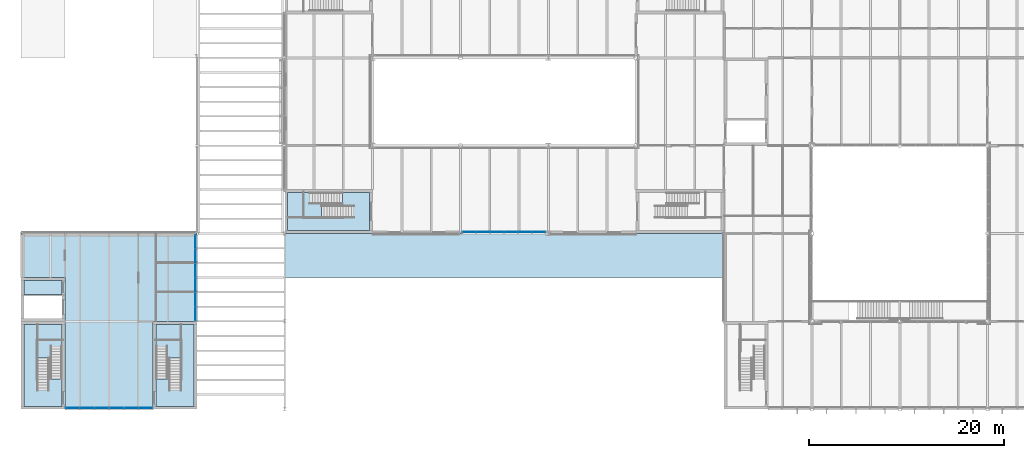
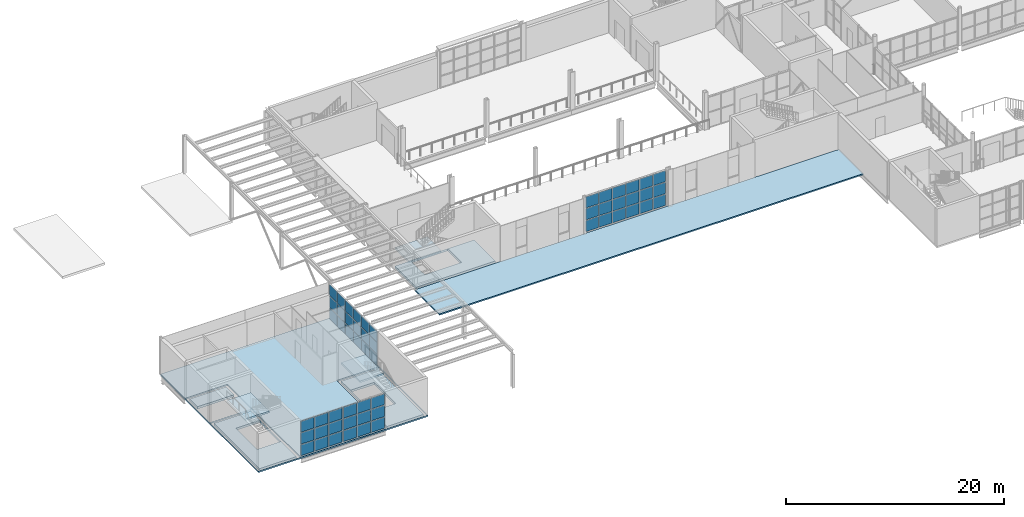
# One storey, part 26 of 57: 54 plates, 9 slabs, 7 elements without a shape of their own.
"""IFC4 building model written with IfcOpenShell, lengths in metres."""

from ifc_helpers import new_model, si_unit, direction, frame, origin, origin_2d, place, context, subcontext, project, spatial, polyline, rectangle, outline, extrude, material, layer, layer_set, type_object, element, aggregate, save


model = new_model("IFC4")

# Units and contexts
model_context = context("Model", 3, precision=1e-05, world=origin(), true_north=direction((0.0, 1.0)))
body_context = subcontext(model_context, "Body", "Model", "MODEL_VIEW")
ifc_project = project(units=[si_unit("LENGTHUNIT", "METRE"), si_unit("AREAUNIT", "SQUARE_METRE"), si_unit("VOLUMEUNIT", "CUBIC_METRE"), si_unit("PLANEANGLEUNIT", "RADIAN"), si_unit("MASSUNIT", "GRAM", prefix="KILO")], contexts=[model_context])

# Site, building, storey
site_placement = place(None, origin())
site = spatial("IfcSite", under=ifc_project, at=site_placement, CompositionType="ELEMENT")
building_placement = place(site_placement, origin())
building = spatial("IfcBuilding", under=site, at=building_placement, Name="Halyard Row Museum", CompositionType="ELEMENT")
storey_placement = place(building_placement, frame((0.0, 0.0, 5.0)))
storey = spatial("IfcBuildingStorey", under=building, at=storey_placement, Name="L01", CompositionType="ELEMENT", Elevation=5.0)

# Slabs
ifc_material_1 = material(Name="Concrete 40 MPa", Category="concrete")
ifc_layer_1 = layer(ifc_material_1, 0.1650390625)
ifc_layer_set_1 = layer_set([ifc_layer_1], Name="Concrete 40 MPa")
slab_type_1 = type_object("IfcSlabType", Name="Composite floor slab", PredefinedType="FLOOR", material=ifc_layer_set_1)
slab_1_placement = place(storey_placement, frame((0.0, 0.0, -0.1650390625)))
element("IfcSlab", 1, at=slab_1_placement, inside=storey, type_object=slab_type_1, Name="Floor slab L01-01", PredefinedType="FLOOR", context=body_context, shape_type="SweptSolid", body=[
    extrude(outline(polyline([(0.0, 0.0), (18.0, 0.0), (18.0, 18.0), (0.0, 18.0), (0.0, 0.0)]), holes=[polyline([(4.4951171875, 0.0048828125), (0.0048828125, 0.0048828125), (0.0048828125, 8.9951171875), (4.4951171875, 8.9951171875), (4.4951171875, 0.0048828125)]), polyline([(13.5048828125, 0.0048828125), (13.5048828125, 8.9951171875), (17.9951171875, 8.9951171875), (17.9951171875, 0.0048828125), (13.5048828125, 0.0048828125)]), polyline([(0.0048828125, 9.0048828125), (0.0048828125, 13.4951171875), (4.4951171875, 13.4951171875), (4.4951171875, 9.0048828125), (0.0048828125, 9.0048828125)])]), origin(), (0.0, 0.0, 1.0), 0.1650390625),
])
ifc_material_2 = material(Name="Concrete 40 MPa", Category="concrete")
ifc_layer_2 = layer(ifc_material_2, 0.25)
ifc_layer_set_2 = layer_set([ifc_layer_2], Name="Concrete 40 MPa")
slab_type_2 = type_object("IfcSlabType", Name="Core floor slab 250", PredefinedType="FLOOR", material=ifc_layer_set_2)
slab_2_placement = place(storey_placement, frame((0.0, 0.0, -0.25)))
element("IfcSlab", 2, at=slab_2_placement, inside=storey, type_object=slab_type_2, Name="Core floor K1D L01", PredefinedType="FLOOR", context=body_context, shape_type="SweptSolid", body=[
    extrude(outline(polyline([(35.699951171875, 22.199951171875), (27.300048828125, 22.199951171875), (27.300048828125, 18.300048828125), (35.699951171875, 18.300048828125), (35.699951171875, 22.199951171875)]), holes=[polyline([(28.98291015625, 22.197021484375), (32.89697265625, 22.197021484375), (32.89697265625, 19.653076171875), (28.98291015625, 19.653076171875), (28.98291015625, 22.197021484375)])]), origin(), (0.0, 0.0, 1.0), 0.25),
])
slab_3_placement = place(storey_placement, frame((0.0, 0.0, -0.25)))
element("IfcSlab", 3, at=slab_3_placement, inside=storey, type_object=slab_type_2, Name="Core floor K3E L01", PredefinedType="FLOOR", context=body_context, shape_type="SweptSolid", body=[
    extrude(outline(polyline([(17.699951171875, 8.699951171875), (13.800048828125, 8.699951171875), (13.800048828125, 0.300048828125), (17.699951171875, 0.300048828125), (17.699951171875, 8.699951171875)]), holes=[polyline([(13.802978515625, 7.01708984375), (16.346923828125, 7.01708984375), (16.346923828125, 3.10302734375), (13.802978515625, 3.10302734375), (13.802978515625, 7.01708984375)])]), origin(), (0.0, 0.0, 1.0), 0.25),
])
slab_4_placement = place(storey_placement, frame((0.0, 0.0, -0.25)))
element("IfcSlab", 4, at=slab_4_placement, inside=storey, type_object=slab_type_2, Name="Core floor K3S L01", PredefinedType="FLOOR", context=body_context, shape_type="SweptSolid", body=[
    extrude(outline(polyline([(4.199951171875, 8.699951171875), (0.300048828125, 8.699951171875), (0.300048828125, 0.300048828125), (4.199951171875, 0.300048828125), (4.199951171875, 8.699951171875)]), holes=[polyline([(4.197021484375, 7.01708984375), (4.197021484375, 3.10302734375), (1.653076171875, 3.10302734375), (1.653076171875, 7.01708984375), (4.197021484375, 7.01708984375)])]), origin(), (0.0, 0.0, 1.0), 0.25),
])
slab_5_placement = place(storey_placement, frame((0.0, 0.0, -0.25)))
element("IfcSlab", 5, at=slab_5_placement, inside=storey, type_object=slab_type_2, Name="Core floor K6 L01", PredefinedType="FLOOR", context=body_context, shape_type="SweptSolid", body=[
    extrude(outline(polyline([(4.199951171875, 13.199951171875), (0.300048828125, 13.199951171875), (0.300048828125, 11.75), (4.199951171875, 11.75), (4.199951171875, 13.199951171875)])), origin(), (0.0, 0.0, 1.0), 0.25),
])

# Curtain wall, plates
ifc_material_3 = material(Name="Double glazed unit, low-emissivity", Category="glass")
ifc_layer_3 = layer(ifc_material_3, 0.179931640625)
ifc_layer_set_3 = layer_set([ifc_layer_3], Name="Double glazed unit, low-emissivity")
curtain_wall_type_1 = type_object("IfcCurtainWallType", Name="Curtain wall stick 180 deep", PredefinedType="NOTDEFINED", material=ifc_layer_set_3)
curtain_wall_1_placement = place(storey_placement, origin())
curtain_wall_1 = element("IfcCurtainWall", 6, at=curtain_wall_1_placement, inside=storey, type_object=curtain_wall_type_1, Name="Curtain wall CW023", PredefinedType="NOTDEFINED")
ifc_material_4 = material(Name="Double glazed unit, low-emissivity", Category="glass")
ifc_layer_4 = layer(ifc_material_4, 0.028076171875)
ifc_layer_set_4 = layer_set([ifc_layer_4], Name="Double glazed unit, low-emissivity")
plate_type_1 = type_object("IfcPlateType", Name="Curtain wall glazed panel CP2 28", PredefinedType="CURTAIN_PANEL", material=ifc_layer_set_4)
plate_1_placement = place(storey_placement, frame((45.881591796875, 18.139892578125, 0.06005859375), z_axis=(0.0, 0.0, 1.0), x_axis=(1.0, 0.0, 0.0)))
plate_1 = element("IfcPlate", 7, at=plate_1_placement, type_object=plate_type_1, Name="CW023 panel 1.1", PredefinedType="CURTAIN_PANEL", context=body_context, shape_type="SweptSolid", body=[
    extrude(rectangle(XDim=1.34326171875, YDim=0.028076171875, at=origin_2d()), origin(), (0.0, 0.0, 1.0), 1.2548828125),
])
plate_2_placement = place(storey_placement, frame((45.881591796875, 18.139892578125, 1.375), z_axis=(0.0, 0.0, 1.0), x_axis=(1.0, 0.0, 0.0)))
plate_2 = element("IfcPlate", 8, at=plate_2_placement, type_object=plate_type_1, Name="CW023 panel 1.2", PredefinedType="CURTAIN_PANEL", context=body_context, shape_type="SweptSolid", body=[
    extrude(rectangle(XDim=1.34326171875, YDim=0.028076171875, at=origin_2d()), origin(), (0.0, 0.0, 1.0), 1.284912109375),
])
plate_3_placement = place(storey_placement, frame((45.881591796875, 18.139892578125, 2.719970703125), z_axis=(0.0, 0.0, 1.0), x_axis=(1.0, 0.0, 0.0)))
plate_3 = element("IfcPlate", 9, at=plate_3_placement, type_object=plate_type_1, Name="CW023 panel 1.3", PredefinedType="CURTAIN_PANEL", context=body_context, shape_type="SweptSolid", body=[
    extrude(rectangle(XDim=1.34326171875, YDim=0.028076171875, at=origin_2d()), origin(), (0.0, 0.0, 1.0), 1.2548828125),
])
plate_4_placement = place(storey_placement, frame((47.300048828125, 18.139892578125, 0.06005859375), z_axis=(0.0, 0.0, 1.0), x_axis=(1.0, 0.0, 0.0)))
plate_4 = element("IfcPlate", 10, at=plate_4_placement, type_object=plate_type_1, Name="CW023 panel 2.1", PredefinedType="CURTAIN_PANEL", context=body_context, shape_type="SweptSolid", body=[
    extrude(rectangle(XDim=1.373291015625, YDim=0.028076171875, at=origin_2d()), origin(), (0.0, 0.0, 1.0), 1.2548828125),
])
plate_5_placement = place(storey_placement, frame((47.300048828125, 18.139892578125, 1.375), z_axis=(0.0, 0.0, 1.0), x_axis=(1.0, 0.0, 0.0)))
plate_5 = element("IfcPlate", 11, at=plate_5_placement, type_object=plate_type_1, Name="CW023 panel 2.2", PredefinedType="CURTAIN_PANEL", context=body_context, shape_type="SweptSolid", body=[
    extrude(rectangle(XDim=1.373291015625, YDim=0.028076171875, at=origin_2d()), origin(), (0.0, 0.0, 1.0), 1.284912109375),
])
plate_6_placement = place(storey_placement, frame((47.300048828125, 18.139892578125, 2.719970703125), z_axis=(0.0, 0.0, 1.0), x_axis=(1.0, 0.0, 0.0)))
plate_6 = element("IfcPlate", 12, at=plate_6_placement, type_object=plate_type_1, Name="CW023 panel 2.3", PredefinedType="CURTAIN_PANEL", context=body_context, shape_type="SweptSolid", body=[
    extrude(rectangle(XDim=1.373291015625, YDim=0.028076171875, at=origin_2d()), origin(), (0.0, 0.0, 1.0), 1.2548828125),
])
plate_7_placement = place(storey_placement, frame((48.7333984375, 18.139892578125, 0.06005859375), z_axis=(0.0, 0.0, 1.0), x_axis=(1.0, 0.0, 0.0)))
plate_7 = element("IfcPlate", 13, at=plate_7_placement, type_object=plate_type_1, Name="CW023 panel 3.1", PredefinedType="CURTAIN_PANEL", context=body_context, shape_type="SweptSolid", body=[
    extrude(rectangle(XDim=1.373291015625, YDim=0.028076171875, at=origin_2d()), origin(), (0.0, 0.0, 1.0), 1.2548828125),
])
plate_8_placement = place(storey_placement, frame((48.7333984375, 18.139892578125, 1.375), z_axis=(0.0, 0.0, 1.0), x_axis=(1.0, 0.0, 0.0)))
plate_8 = element("IfcPlate", 14, at=plate_8_placement, type_object=plate_type_1, Name="CW023 panel 3.2", PredefinedType="CURTAIN_PANEL", context=body_context, shape_type="SweptSolid", body=[
    extrude(rectangle(XDim=1.373291015625, YDim=0.028076171875, at=origin_2d()), origin(), (0.0, 0.0, 1.0), 1.284912109375),
])
plate_9_placement = place(storey_placement, frame((48.7333984375, 18.139892578125, 2.719970703125), z_axis=(0.0, 0.0, 1.0), x_axis=(1.0, 0.0, 0.0)))
plate_9 = element("IfcPlate", 15, at=plate_9_placement, type_object=plate_type_1, Name="CW023 panel 3.3", PredefinedType="CURTAIN_PANEL", context=body_context, shape_type="SweptSolid", body=[
    extrude(rectangle(XDim=1.373291015625, YDim=0.028076171875, at=origin_2d()), origin(), (0.0, 0.0, 1.0), 1.2548828125),
])
plate_10_placement = place(storey_placement, frame((50.166748046875, 18.139892578125, 0.06005859375), z_axis=(0.0, 0.0, 1.0), x_axis=(1.0, 0.0, 0.0)))
plate_10 = element("IfcPlate", 16, at=plate_10_placement, type_object=plate_type_1, Name="CW023 panel 4.1", PredefinedType="CURTAIN_PANEL", context=body_context, shape_type="SweptSolid", body=[
    extrude(rectangle(XDim=1.373291015625, YDim=0.028076171875, at=origin_2d()), origin(), (0.0, 0.0, 1.0), 1.2548828125),
])
plate_11_placement = place(storey_placement, frame((50.166748046875, 18.139892578125, 1.375), z_axis=(0.0, 0.0, 1.0), x_axis=(1.0, 0.0, 0.0)))
plate_11 = element("IfcPlate", 17, at=plate_11_placement, type_object=plate_type_1, Name="CW023 panel 4.2", PredefinedType="CURTAIN_PANEL", context=body_context, shape_type="SweptSolid", body=[
    extrude(rectangle(XDim=1.373291015625, YDim=0.028076171875, at=origin_2d()), origin(), (0.0, 0.0, 1.0), 1.284912109375),
])
plate_12_placement = place(storey_placement, frame((50.166748046875, 18.139892578125, 2.719970703125), z_axis=(0.0, 0.0, 1.0), x_axis=(1.0, 0.0, 0.0)))
plate_12 = element("IfcPlate", 18, at=plate_12_placement, type_object=plate_type_1, Name="CW023 panel 4.3", PredefinedType="CURTAIN_PANEL", context=body_context, shape_type="SweptSolid", body=[
    extrude(rectangle(XDim=1.373291015625, YDim=0.028076171875, at=origin_2d()), origin(), (0.0, 0.0, 1.0), 1.2548828125),
])
plate_13_placement = place(storey_placement, frame((51.60009765625, 18.139892578125, 0.06005859375), z_axis=(0.0, 0.0, 1.0), x_axis=(1.0, 0.0, 0.0)))
plate_13 = element("IfcPlate", 19, at=plate_13_placement, type_object=plate_type_1, Name="CW023 panel 5.1", PredefinedType="CURTAIN_PANEL", context=body_context, shape_type="SweptSolid", body=[
    extrude(rectangle(XDim=1.373291015625, YDim=0.028076171875, at=origin_2d()), origin(), (0.0, 0.0, 1.0), 1.2548828125),
])
plate_14_placement = place(storey_placement, frame((51.60009765625, 18.139892578125, 1.375), z_axis=(0.0, 0.0, 1.0), x_axis=(1.0, 0.0, 0.0)))
plate_14 = element("IfcPlate", 20, at=plate_14_placement, type_object=plate_type_1, Name="CW023 panel 5.2", PredefinedType="CURTAIN_PANEL", context=body_context, shape_type="SweptSolid", body=[
    extrude(rectangle(XDim=1.373291015625, YDim=0.028076171875, at=origin_2d()), origin(), (0.0, 0.0, 1.0), 1.284912109375),
])
plate_15_placement = place(storey_placement, frame((51.60009765625, 18.139892578125, 2.719970703125), z_axis=(0.0, 0.0, 1.0), x_axis=(1.0, 0.0, 0.0)))
plate_15 = element("IfcPlate", 21, at=plate_15_placement, type_object=plate_type_1, Name="CW023 panel 5.3", PredefinedType="CURTAIN_PANEL", context=body_context, shape_type="SweptSolid", body=[
    extrude(rectangle(XDim=1.373291015625, YDim=0.028076171875, at=origin_2d()), origin(), (0.0, 0.0, 1.0), 1.2548828125),
])
plate_16_placement = place(storey_placement, frame((53.018310546875, 18.139892578125, 0.06005859375), z_axis=(0.0, 0.0, 1.0), x_axis=(1.0, 0.0, 0.0)))
plate_16 = element("IfcPlate", 22, at=plate_16_placement, type_object=plate_type_1, Name="CW023 panel 6.1", PredefinedType="CURTAIN_PANEL", context=body_context, shape_type="SweptSolid", body=[
    extrude(rectangle(XDim=1.34326171875, YDim=0.028076171875, at=origin_2d()), origin(), (0.0, 0.0, 1.0), 1.2548828125),
])
plate_17_placement = place(storey_placement, frame((53.018310546875, 18.139892578125, 1.375), z_axis=(0.0, 0.0, 1.0), x_axis=(1.0, 0.0, 0.0)))
plate_17 = element("IfcPlate", 23, at=plate_17_placement, type_object=plate_type_1, Name="CW023 panel 6.2", PredefinedType="CURTAIN_PANEL", context=body_context, shape_type="SweptSolid", body=[
    extrude(rectangle(XDim=1.34326171875, YDim=0.028076171875, at=origin_2d()), origin(), (0.0, 0.0, 1.0), 1.284912109375),
])
plate_18_placement = place(storey_placement, frame((53.018310546875, 18.139892578125, 2.719970703125), z_axis=(0.0, 0.0, 1.0), x_axis=(1.0, 0.0, 0.0)))
plate_18 = element("IfcPlate", 24, at=plate_18_placement, type_object=plate_type_1, Name="CW023 panel 6.3", PredefinedType="CURTAIN_PANEL", context=body_context, shape_type="SweptSolid", body=[
    extrude(rectangle(XDim=1.34326171875, YDim=0.028076171875, at=origin_2d()), origin(), (0.0, 0.0, 1.0), 1.2548828125),
])
aggregate(curtain_wall_1, [plate_1, plate_2, plate_3, plate_4, plate_5, plate_6, plate_7, plate_8, plate_9, plate_10, plate_11, plate_12, plate_13, plate_14, plate_15, plate_16, plate_17, plate_18])

ifc_material_5 = material(Name="Acoustic laminated double glazed unit", Category="glass")
ifc_layer_5 = layer(ifc_material_5, 0.239990234375)
ifc_layer_set_5 = layer_set([ifc_layer_5], Name="Acoustic laminated double glazed unit")
curtain_wall_type_2 = type_object("IfcCurtainWallType", Name="Curtain wall foyer 240 deep", PredefinedType="NOTDEFINED", material=ifc_layer_set_5)
curtain_wall_2_placement = place(storey_placement, origin())
curtain_wall_2 = element("IfcCurtainWall", 25, at=curtain_wall_2_placement, inside=storey, type_object=curtain_wall_type_2, Name="Curtain wall CW028", PredefinedType="NOTDEFINED")
ifc_material_6 = material(Name="Acoustic laminated double glazed unit", Category="glass")
ifc_layer_6 = layer(ifc_material_6, 0.0439453125)
ifc_layer_set_6 = layer_set([ifc_layer_6], Name="Acoustic laminated double glazed unit")
plate_type_2 = type_object("IfcPlateType", Name="Curtain wall glazed panel CP4 44", PredefinedType="CURTAIN_PANEL", material=ifc_layer_set_6)
plate_19_placement = place(storey_placement, frame((5.267578125, 0.139892578125, 0.06982421875), z_axis=(0.0, 0.0, 1.0), x_axis=(1.0, 0.0, 0.0)))
plate_19 = element("IfcPlate", 26, at=plate_19_placement, type_object=plate_type_2, Name="CW028 panel 1.1", PredefinedType="CURTAIN_PANEL", context=body_context, shape_type="SweptSolid", body=[
    extrude(rectangle(XDim=1.39501953125, YDim=0.0439453125, at=origin_2d()), origin(), (0.0, 0.0, 1.0), 1.228271484375),
])
plate_20_placement = place(storey_placement, frame((5.267578125, 0.139892578125, 1.3681640625), z_axis=(0.0, 0.0, 1.0), x_axis=(1.0, 0.0, 0.0)))
plate_20 = element("IfcPlate", 27, at=plate_20_placement, type_object=plate_type_2, Name="CW028 panel 1.2", PredefinedType="CURTAIN_PANEL", context=body_context, shape_type="SweptSolid", body=[
    extrude(rectangle(XDim=1.39501953125, YDim=0.0439453125, at=origin_2d()), origin(), (0.0, 0.0, 1.0), 1.263427734375),
])
plate_21_placement = place(storey_placement, frame((5.267578125, 0.139892578125, 2.70166015625), z_axis=(0.0, 0.0, 1.0), x_axis=(1.0, 0.0, 0.0)))
plate_21 = element("IfcPlate", 28, at=plate_21_placement, type_object=plate_type_2, Name="CW028 panel 1.3", PredefinedType="CURTAIN_PANEL", context=body_context, shape_type="SweptSolid", body=[
    extrude(rectangle(XDim=1.39501953125, YDim=0.0439453125, at=origin_2d()), origin(), (0.0, 0.0, 1.0), 1.228271484375),
])
plate_22_placement = place(storey_placement, frame((6.75, 0.139892578125, 0.06982421875), z_axis=(0.0, 0.0, 1.0), x_axis=(1.0, 0.0, 0.0)))
plate_22 = element("IfcPlate", 29, at=plate_22_placement, type_object=plate_type_2, Name="CW028 panel 2.1", PredefinedType="CURTAIN_PANEL", context=body_context, shape_type="SweptSolid", body=[
    extrude(rectangle(XDim=1.429931640625, YDim=0.0439453125, at=origin_2d()), origin(), (0.0, 0.0, 1.0), 1.228271484375),
])
plate_23_placement = place(storey_placement, frame((6.75, 0.139892578125, 1.3681640625), z_axis=(0.0, 0.0, 1.0), x_axis=(1.0, 0.0, 0.0)))
plate_23 = element("IfcPlate", 30, at=plate_23_placement, type_object=plate_type_2, Name="CW028 panel 2.2", PredefinedType="CURTAIN_PANEL", context=body_context, shape_type="SweptSolid", body=[
    extrude(rectangle(XDim=1.429931640625, YDim=0.0439453125, at=origin_2d()), origin(), (0.0, 0.0, 1.0), 1.263427734375),
])
plate_24_placement = place(storey_placement, frame((6.75, 0.139892578125, 2.70166015625), z_axis=(0.0, 0.0, 1.0), x_axis=(1.0, 0.0, 0.0)))
plate_24 = element("IfcPlate", 31, at=plate_24_placement, type_object=plate_type_2, Name="CW028 panel 2.3", PredefinedType="CURTAIN_PANEL", context=body_context, shape_type="SweptSolid", body=[
    extrude(rectangle(XDim=1.429931640625, YDim=0.0439453125, at=origin_2d()), origin(), (0.0, 0.0, 1.0), 1.228271484375),
])
plate_25_placement = place(storey_placement, frame((8.232421875, 0.139892578125, 0.06982421875), z_axis=(0.0, 0.0, 1.0), x_axis=(1.0, 0.0, 0.0)))
plate_25 = element("IfcPlate", 32, at=plate_25_placement, type_object=plate_type_2, Name="CW028 panel 3.1", PredefinedType="CURTAIN_PANEL", context=body_context, shape_type="SweptSolid", body=[
    extrude(rectangle(XDim=1.39501953125, YDim=0.0439453125, at=origin_2d()), origin(), (0.0, 0.0, 1.0), 1.228271484375),
])
plate_26_placement = place(storey_placement, frame((8.232421875, 0.139892578125, 1.3681640625), z_axis=(0.0, 0.0, 1.0), x_axis=(1.0, 0.0, 0.0)))
plate_26 = element("IfcPlate", 33, at=plate_26_placement, type_object=plate_type_2, Name="CW028 panel 3.2", PredefinedType="CURTAIN_PANEL", context=body_context, shape_type="SweptSolid", body=[
    extrude(rectangle(XDim=1.39501953125, YDim=0.0439453125, at=origin_2d()), origin(), (0.0, 0.0, 1.0), 1.263427734375),
])
plate_27_placement = place(storey_placement, frame((8.232421875, 0.139892578125, 2.70166015625), z_axis=(0.0, 0.0, 1.0), x_axis=(1.0, 0.0, 0.0)))
plate_27 = element("IfcPlate", 34, at=plate_27_placement, type_object=plate_type_2, Name="CW028 panel 3.3", PredefinedType="CURTAIN_PANEL", context=body_context, shape_type="SweptSolid", body=[
    extrude(rectangle(XDim=1.39501953125, YDim=0.0439453125, at=origin_2d()), origin(), (0.0, 0.0, 1.0), 1.228271484375),
])
aggregate(curtain_wall_2, [plate_19, plate_20, plate_21, plate_22, plate_23, plate_24, plate_25, plate_26, plate_27])

curtain_wall_3_placement = place(storey_placement, origin())
curtain_wall_3 = element("IfcCurtainWall", 35, at=curtain_wall_3_placement, inside=storey, type_object=curtain_wall_type_2, Name="Curtain wall CW029", PredefinedType="NOTDEFINED")
plate_28_placement = place(storey_placement, frame((9.767578125, 0.139892578125, 0.06982421875), z_axis=(0.0, 0.0, 1.0), x_axis=(1.0, 0.0, 0.0)))
plate_28 = element("IfcPlate", 36, at=plate_28_placement, type_object=plate_type_2, Name="CW029 panel 1.1", PredefinedType="CURTAIN_PANEL", context=body_context, shape_type="SweptSolid", body=[
    extrude(rectangle(XDim=1.39501953125, YDim=0.0439453125, at=origin_2d()), origin(), (0.0, 0.0, 1.0), 1.228271484375),
])
plate_29_placement = place(storey_placement, frame((9.767578125, 0.139892578125, 1.3681640625), z_axis=(0.0, 0.0, 1.0), x_axis=(1.0, 0.0, 0.0)))
plate_29 = element("IfcPlate", 37, at=plate_29_placement, type_object=plate_type_2, Name="CW029 panel 1.2", PredefinedType="CURTAIN_PANEL", context=body_context, shape_type="SweptSolid", body=[
    extrude(rectangle(XDim=1.39501953125, YDim=0.0439453125, at=origin_2d()), origin(), (0.0, 0.0, 1.0), 1.263427734375),
])
plate_30_placement = place(storey_placement, frame((9.767578125, 0.139892578125, 2.70166015625), z_axis=(0.0, 0.0, 1.0), x_axis=(1.0, 0.0, 0.0)))
plate_30 = element("IfcPlate", 38, at=plate_30_placement, type_object=plate_type_2, Name="CW029 panel 1.3", PredefinedType="CURTAIN_PANEL", context=body_context, shape_type="SweptSolid", body=[
    extrude(rectangle(XDim=1.39501953125, YDim=0.0439453125, at=origin_2d()), origin(), (0.0, 0.0, 1.0), 1.228271484375),
])
plate_31_placement = place(storey_placement, frame((11.25, 0.139892578125, 0.06982421875), z_axis=(0.0, 0.0, 1.0), x_axis=(1.0, 0.0, 0.0)))
plate_31 = element("IfcPlate", 39, at=plate_31_placement, type_object=plate_type_2, Name="CW029 panel 2.1", PredefinedType="CURTAIN_PANEL", context=body_context, shape_type="SweptSolid", body=[
    extrude(rectangle(XDim=1.429931640625, YDim=0.0439453125, at=origin_2d()), origin(), (0.0, 0.0, 1.0), 1.228271484375),
])
plate_32_placement = place(storey_placement, frame((11.25, 0.139892578125, 1.3681640625), z_axis=(0.0, 0.0, 1.0), x_axis=(1.0, 0.0, 0.0)))
plate_32 = element("IfcPlate", 40, at=plate_32_placement, type_object=plate_type_2, Name="CW029 panel 2.2", PredefinedType="CURTAIN_PANEL", context=body_context, shape_type="SweptSolid", body=[
    extrude(rectangle(XDim=1.429931640625, YDim=0.0439453125, at=origin_2d()), origin(), (0.0, 0.0, 1.0), 1.263427734375),
])
plate_33_placement = place(storey_placement, frame((11.25, 0.139892578125, 2.70166015625), z_axis=(0.0, 0.0, 1.0), x_axis=(1.0, 0.0, 0.0)))
plate_33 = element("IfcPlate", 41, at=plate_33_placement, type_object=plate_type_2, Name="CW029 panel 2.3", PredefinedType="CURTAIN_PANEL", context=body_context, shape_type="SweptSolid", body=[
    extrude(rectangle(XDim=1.429931640625, YDim=0.0439453125, at=origin_2d()), origin(), (0.0, 0.0, 1.0), 1.228271484375),
])
plate_34_placement = place(storey_placement, frame((12.732421875, 0.139892578125, 0.06982421875), z_axis=(0.0, 0.0, 1.0), x_axis=(1.0, 0.0, 0.0)))
plate_34 = element("IfcPlate", 42, at=plate_34_placement, type_object=plate_type_2, Name="CW029 panel 3.1", PredefinedType="CURTAIN_PANEL", context=body_context, shape_type="SweptSolid", body=[
    extrude(rectangle(XDim=1.39501953125, YDim=0.0439453125, at=origin_2d()), origin(), (0.0, 0.0, 1.0), 1.228271484375),
])
plate_35_placement = place(storey_placement, frame((12.732421875, 0.139892578125, 1.3681640625), z_axis=(0.0, 0.0, 1.0), x_axis=(1.0, 0.0, 0.0)))
plate_35 = element("IfcPlate", 43, at=plate_35_placement, type_object=plate_type_2, Name="CW029 panel 3.2", PredefinedType="CURTAIN_PANEL", context=body_context, shape_type="SweptSolid", body=[
    extrude(rectangle(XDim=1.39501953125, YDim=0.0439453125, at=origin_2d()), origin(), (0.0, 0.0, 1.0), 1.263427734375),
])
plate_36_placement = place(storey_placement, frame((12.732421875, 0.139892578125, 2.70166015625), z_axis=(0.0, 0.0, 1.0), x_axis=(1.0, 0.0, 0.0)))
plate_36 = element("IfcPlate", 44, at=plate_36_placement, type_object=plate_type_2, Name="CW029 panel 3.3", PredefinedType="CURTAIN_PANEL", context=body_context, shape_type="SweptSolid", body=[
    extrude(rectangle(XDim=1.39501953125, YDim=0.0439453125, at=origin_2d()), origin(), (0.0, 0.0, 1.0), 1.228271484375),
])
aggregate(curtain_wall_3, [plate_28, plate_29, plate_30, plate_31, plate_32, plate_33, plate_34, plate_35, plate_36])

curtain_wall_4_placement = place(storey_placement, origin())
curtain_wall_4 = element("IfcCurtainWall", 45, at=curtain_wall_4_placement, inside=storey, type_object=curtain_wall_type_2, Name="Curtain wall CW030", PredefinedType="NOTDEFINED")
plate_37_placement = place(storey_placement, frame((17.860107421875, 9.757080078125, 0.06982421875), z_axis=(0.0, 0.0, 1.0), x_axis=(0.0, 1.0, 0.0)))
plate_37 = element("IfcPlate", 46, at=plate_37_placement, type_object=plate_type_2, Name="CW030 panel 1.1", PredefinedType="CURTAIN_PANEL", context=body_context, shape_type="SweptSolid", body=[
    extrude(rectangle(XDim=1.374267578125, YDim=0.0439453125, at=origin_2d()), origin(), (0.0, 0.0, 1.0), 1.228271484375),
])
plate_38_placement = place(storey_placement, frame((17.860107421875, 9.757080078125, 1.3681640625), z_axis=(0.0, 0.0, 1.0), x_axis=(0.0, 1.0, 0.0)))
plate_38 = element("IfcPlate", 47, at=plate_38_placement, type_object=plate_type_2, Name="CW030 panel 1.2", PredefinedType="CURTAIN_PANEL", context=body_context, shape_type="SweptSolid", body=[
    extrude(rectangle(XDim=1.374267578125, YDim=0.0439453125, at=origin_2d()), origin(), (0.0, 0.0, 1.0), 1.263427734375),
])
plate_39_placement = place(storey_placement, frame((17.860107421875, 9.757080078125, 2.70166015625), z_axis=(0.0, 0.0, 1.0), x_axis=(0.0, 1.0, 0.0)))
plate_39 = element("IfcPlate", 48, at=plate_39_placement, type_object=plate_type_2, Name="CW030 panel 1.3", PredefinedType="CURTAIN_PANEL", context=body_context, shape_type="SweptSolid", body=[
    extrude(rectangle(XDim=1.374267578125, YDim=0.0439453125, at=origin_2d()), origin(), (0.0, 0.0, 1.0), 1.228271484375),
])
plate_40_placement = place(storey_placement, frame((17.860107421875, 11.21875, 0.06982421875), z_axis=(0.0, 0.0, 1.0), x_axis=(0.0, 1.0, 0.0)))
plate_40 = element("IfcPlate", 49, at=plate_40_placement, type_object=plate_type_2, Name="CW030 panel 2.1", PredefinedType="CURTAIN_PANEL", context=body_context, shape_type="SweptSolid", body=[
    extrude(rectangle(XDim=1.4091796875, YDim=0.0439453125, at=origin_2d()), origin(), (0.0, 0.0, 1.0), 1.228271484375),
])
plate_41_placement = place(storey_placement, frame((17.860107421875, 11.21875, 1.3681640625), z_axis=(0.0, 0.0, 1.0), x_axis=(0.0, 1.0, 0.0)))
plate_41 = element("IfcPlate", 50, at=plate_41_placement, type_object=plate_type_2, Name="CW030 panel 2.2", PredefinedType="CURTAIN_PANEL", context=body_context, shape_type="SweptSolid", body=[
    extrude(rectangle(XDim=1.4091796875, YDim=0.0439453125, at=origin_2d()), origin(), (0.0, 0.0, 1.0), 1.263427734375),
])
plate_42_placement = place(storey_placement, frame((17.860107421875, 11.21875, 2.70166015625), z_axis=(0.0, 0.0, 1.0), x_axis=(0.0, 1.0, 0.0)))
plate_42 = element("IfcPlate", 51, at=plate_42_placement, type_object=plate_type_2, Name="CW030 panel 2.3", PredefinedType="CURTAIN_PANEL", context=body_context, shape_type="SweptSolid", body=[
    extrude(rectangle(XDim=1.4091796875, YDim=0.0439453125, at=origin_2d()), origin(), (0.0, 0.0, 1.0), 1.228271484375),
])
plate_43_placement = place(storey_placement, frame((17.860107421875, 12.697998046875, 0.06982421875), z_axis=(0.0, 0.0, 1.0), x_axis=(0.0, 1.0, 0.0)))
plate_43 = element("IfcPlate", 52, at=plate_43_placement, type_object=plate_type_2, Name="CW030 panel 3.1", PredefinedType="CURTAIN_PANEL", context=body_context, shape_type="SweptSolid", body=[
    extrude(rectangle(XDim=1.4091796875, YDim=0.0439453125, at=origin_2d()), origin(), (0.0, 0.0, 1.0), 1.228271484375),
])
plate_44_placement = place(storey_placement, frame((17.860107421875, 12.697998046875, 1.3681640625), z_axis=(0.0, 0.0, 1.0), x_axis=(0.0, 1.0, 0.0)))
plate_44 = element("IfcPlate", 53, at=plate_44_placement, type_object=plate_type_2, Name="CW030 panel 3.2", PredefinedType="CURTAIN_PANEL", context=body_context, shape_type="SweptSolid", body=[
    extrude(rectangle(XDim=1.4091796875, YDim=0.0439453125, at=origin_2d()), origin(), (0.0, 0.0, 1.0), 1.263427734375),
])
plate_45_placement = place(storey_placement, frame((17.860107421875, 12.697998046875, 2.70166015625), z_axis=(0.0, 0.0, 1.0), x_axis=(0.0, 1.0, 0.0)))
plate_45 = element("IfcPlate", 54, at=plate_45_placement, type_object=plate_type_2, Name="CW030 panel 3.3", PredefinedType="CURTAIN_PANEL", context=body_context, shape_type="SweptSolid", body=[
    extrude(rectangle(XDim=1.4091796875, YDim=0.0439453125, at=origin_2d()), origin(), (0.0, 0.0, 1.0), 1.228271484375),
])
plate_46_placement = place(storey_placement, frame((17.860107421875, 14.177001953125, 0.06982421875), z_axis=(0.0, 0.0, 1.0), x_axis=(0.0, 1.0, 0.0)))
plate_46 = element("IfcPlate", 55, at=plate_46_placement, type_object=plate_type_2, Name="CW030 panel 4.1", PredefinedType="CURTAIN_PANEL", context=body_context, shape_type="SweptSolid", body=[
    extrude(rectangle(XDim=1.4091796875, YDim=0.0439453125, at=origin_2d()), origin(), (0.0, 0.0, 1.0), 1.228271484375),
])
plate_47_placement = place(storey_placement, frame((17.860107421875, 14.177001953125, 1.3681640625), z_axis=(0.0, 0.0, 1.0), x_axis=(0.0, 1.0, 0.0)))
plate_47 = element("IfcPlate", 56, at=plate_47_placement, type_object=plate_type_2, Name="CW030 panel 4.2", PredefinedType="CURTAIN_PANEL", context=body_context, shape_type="SweptSolid", body=[
    extrude(rectangle(XDim=1.4091796875, YDim=0.0439453125, at=origin_2d()), origin(), (0.0, 0.0, 1.0), 1.263427734375),
])
plate_48_placement = place(storey_placement, frame((17.860107421875, 14.177001953125, 2.70166015625), z_axis=(0.0, 0.0, 1.0), x_axis=(0.0, 1.0, 0.0)))
plate_48 = element("IfcPlate", 57, at=plate_48_placement, type_object=plate_type_2, Name="CW030 panel 4.3", PredefinedType="CURTAIN_PANEL", context=body_context, shape_type="SweptSolid", body=[
    extrude(rectangle(XDim=1.4091796875, YDim=0.0439453125, at=origin_2d()), origin(), (0.0, 0.0, 1.0), 1.228271484375),
])
plate_49_placement = place(storey_placement, frame((17.860107421875, 15.65625, 0.06982421875), z_axis=(0.0, 0.0, 1.0), x_axis=(0.0, 1.0, 0.0)))
plate_49 = element("IfcPlate", 58, at=plate_49_placement, type_object=plate_type_2, Name="CW030 panel 5.1", PredefinedType="CURTAIN_PANEL", context=body_context, shape_type="SweptSolid", body=[
    extrude(rectangle(XDim=1.4091796875, YDim=0.0439453125, at=origin_2d()), origin(), (0.0, 0.0, 1.0), 1.228271484375),
])
plate_50_placement = place(storey_placement, frame((17.860107421875, 15.65625, 1.3681640625), z_axis=(0.0, 0.0, 1.0), x_axis=(0.0, 1.0, 0.0)))
plate_50 = element("IfcPlate", 59, at=plate_50_placement, type_object=plate_type_2, Name="CW030 panel 5.2", PredefinedType="CURTAIN_PANEL", context=body_context, shape_type="SweptSolid", body=[
    extrude(rectangle(XDim=1.4091796875, YDim=0.0439453125, at=origin_2d()), origin(), (0.0, 0.0, 1.0), 1.263427734375),
])
plate_51_placement = place(storey_placement, frame((17.860107421875, 15.65625, 2.70166015625), z_axis=(0.0, 0.0, 1.0), x_axis=(0.0, 1.0, 0.0)))
plate_51 = element("IfcPlate", 60, at=plate_51_placement, type_object=plate_type_2, Name="CW030 panel 5.3", PredefinedType="CURTAIN_PANEL", context=body_context, shape_type="SweptSolid", body=[
    extrude(rectangle(XDim=1.4091796875, YDim=0.0439453125, at=origin_2d()), origin(), (0.0, 0.0, 1.0), 1.228271484375),
])
plate_52_placement = place(storey_placement, frame((17.860107421875, 17.117919921875, 0.06982421875), z_axis=(0.0, 0.0, 1.0), x_axis=(0.0, 1.0, 0.0)))
plate_52 = element("IfcPlate", 61, at=plate_52_placement, type_object=plate_type_2, Name="CW030 panel 6.1", PredefinedType="CURTAIN_PANEL", context=body_context, shape_type="SweptSolid", body=[
    extrude(rectangle(XDim=1.374267578125, YDim=0.0439453125, at=origin_2d()), origin(), (0.0, 0.0, 1.0), 1.228271484375),
])
plate_53_placement = place(storey_placement, frame((17.860107421875, 17.117919921875, 1.3681640625), z_axis=(0.0, 0.0, 1.0), x_axis=(0.0, 1.0, 0.0)))
plate_53 = element("IfcPlate", 62, at=plate_53_placement, type_object=plate_type_2, Name="CW030 panel 6.2", PredefinedType="CURTAIN_PANEL", context=body_context, shape_type="SweptSolid", body=[
    extrude(rectangle(XDim=1.374267578125, YDim=0.0439453125, at=origin_2d()), origin(), (0.0, 0.0, 1.0), 1.263427734375),
])
plate_54_placement = place(storey_placement, frame((17.860107421875, 17.117919921875, 2.70166015625), z_axis=(0.0, 0.0, 1.0), x_axis=(0.0, 1.0, 0.0)))
plate_54 = element("IfcPlate", 63, at=plate_54_placement, type_object=plate_type_2, Name="CW030 panel 6.3", PredefinedType="CURTAIN_PANEL", context=body_context, shape_type="SweptSolid", body=[
    extrude(rectangle(XDim=1.374267578125, YDim=0.0439453125, at=origin_2d()), origin(), (0.0, 0.0, 1.0), 1.228271484375),
])
aggregate(curtain_wall_4, [plate_37, plate_38, plate_39, plate_40, plate_41, plate_42, plate_43, plate_44, plate_45, plate_46, plate_47, plate_48, plate_49, plate_50, plate_51, plate_52, plate_53, plate_54])

# Slab
ifc_material_7 = material(Name="Glulam GL12 and timber deck", Category="wood")
ifc_layer_7 = layer(ifc_material_7, 0.14990234375)
ifc_layer_set_7 = layer_set([ifc_layer_7], Name="Glulam GL12 and timber deck")
slab_type_3 = type_object("IfcSlabType", Name="Entrance canopy roof slab 150 timber deck", PredefinedType="ROOF", material=ifc_layer_set_7)
slab_6_placement = place(storey_placement, frame((0.0, 0.0, -0.14990234375)))
element("IfcSlab", 64, at=slab_6_placement, inside=storey, type_object=slab_type_3, Name="Entrance Canopy roof slab", PredefinedType="ROOF", context=body_context, shape_type="SweptSolid", body=[
    extrude(outline(polyline([(27.0, 13.5), (72.0, 13.5), (72.0, 18.0), (27.0, 18.0), (27.0, 13.5)])), origin(), (0.0, 0.0, 1.0), 0.14990234375),
])

# Stair, slab
ifc_material_8 = material(Name="Concrete 40 MPa", Category="concrete")
stair_type = type_object("IfcStairType", Name="Exit stair two flights 1200", PredefinedType="HALF_TURN_STAIR", material=ifc_material_8)
stair_1_placement = place(storey_placement, origin())
stair_1 = element("IfcStair", 65, at=stair_1_placement, inside=storey, type_object=stair_type, Name="Exit stair K1D L01", PredefinedType="HALF_TURN_STAIR")
ifc_material_9 = material(Name="Concrete 40 MPa", Category="concrete")
ifc_layer_8 = layer(ifc_material_9, 0.199951171875)
ifc_layer_set_8 = layer_set([ifc_layer_8], Name="Concrete 40 MPa")
slab_type_4 = type_object("IfcSlabType", Name="Exit stair landing 200", PredefinedType="LANDING", material=ifc_layer_set_8)
slab_7_placement = place(storey_placement, frame((0.0, 0.0, 1.89990234375)))
slab_7 = element("IfcSlab", 66, at=slab_7_placement, type_object=slab_type_4, Name="STK1D-L01 landing 1", PredefinedType="LANDING", context=body_context, shape_type="SweptSolid", body=[
    extrude(outline(polyline([(30.739990234375, 19.64990234375), (30.739990234375, 22.199951171875), (27.300048828125, 22.199951171875), (27.300048828125, 19.64990234375), (30.739990234375, 19.64990234375)])), origin(), (0.0, 0.0, 1.0), 0.2001953125),
])
aggregate(stair_1, [slab_7])

stair_2_placement = place(storey_placement, origin())
stair_2 = element("IfcStair", 67, at=stair_2_placement, inside=storey, type_object=stair_type, Name="Exit stair K3E L01", PredefinedType="HALF_TURN_STAIR")
slab_8_placement = place(storey_placement, frame((0.0, 0.0, 1.89990234375)))
slab_8 = element("IfcSlab", 68, at=slab_8_placement, type_object=slab_type_4, Name="STK3E-L01 landing 1", PredefinedType="LANDING", context=body_context, shape_type="SweptSolid", body=[
    extrude(outline(polyline([(16.35009765625, 5.260009765625), (13.800048828125, 5.260009765625), (13.800048828125, 8.699951171875), (16.35009765625, 8.699951171875), (16.35009765625, 5.260009765625)])), origin(), (0.0, 0.0, 1.0), 0.2001953125),
])
aggregate(stair_2, [slab_8])

stair_3_placement = place(storey_placement, origin())
stair_3 = element("IfcStair", 69, at=stair_3_placement, inside=storey, type_object=stair_type, Name="Exit stair K3S L01", PredefinedType="HALF_TURN_STAIR")
slab_9_placement = place(storey_placement, frame((0.0, 0.0, 1.89990234375)))
slab_9 = element("IfcSlab", 70, at=slab_9_placement, type_object=slab_type_4, Name="STK3S-L01 landing 1", PredefinedType="LANDING", context=body_context, shape_type="SweptSolid", body=[
    extrude(outline(polyline([(1.64990234375, 5.260009765625), (4.199951171875, 5.260009765625), (4.199951171875, 8.699951171875), (1.64990234375, 8.699951171875), (1.64990234375, 5.260009765625)])), origin(), (0.0, 0.0, 1.0), 0.2001953125),
])
aggregate(stair_3, [slab_9])

save(model, "model.ifc")
